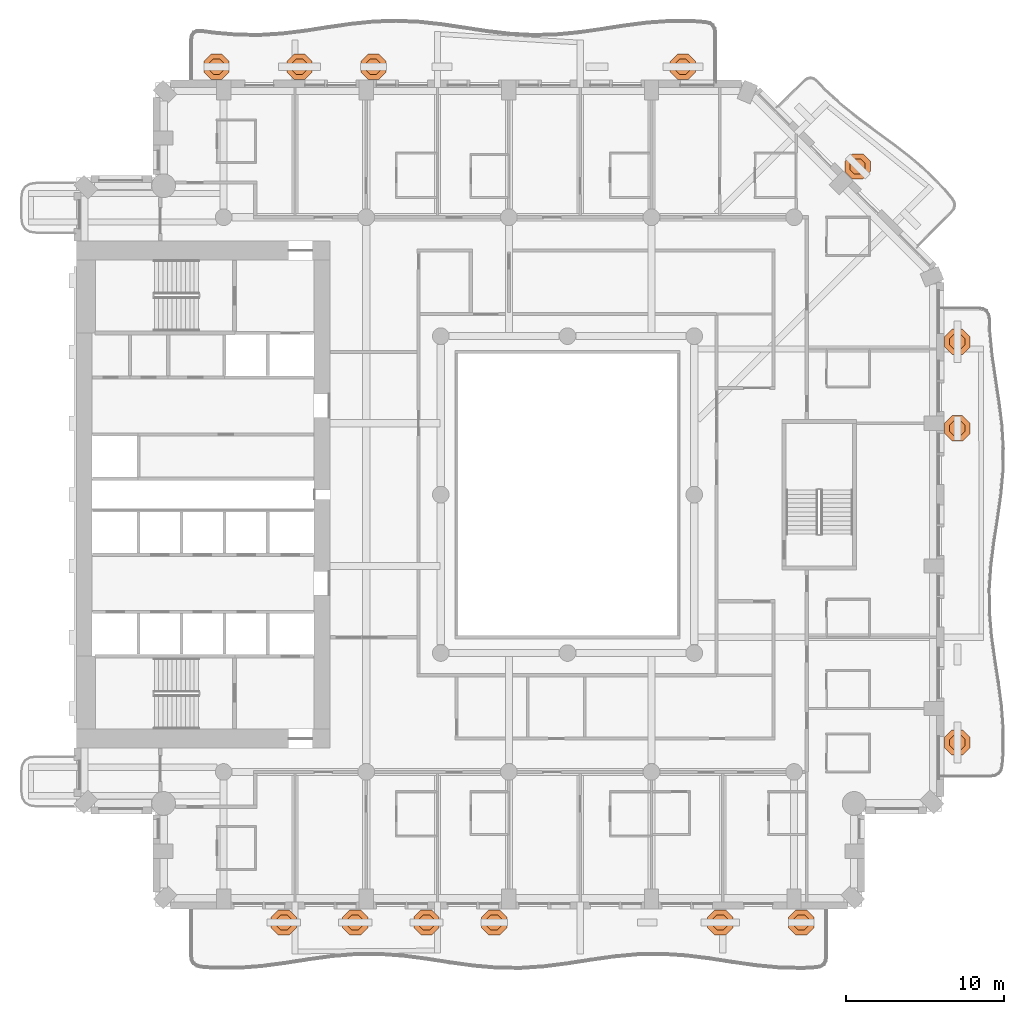
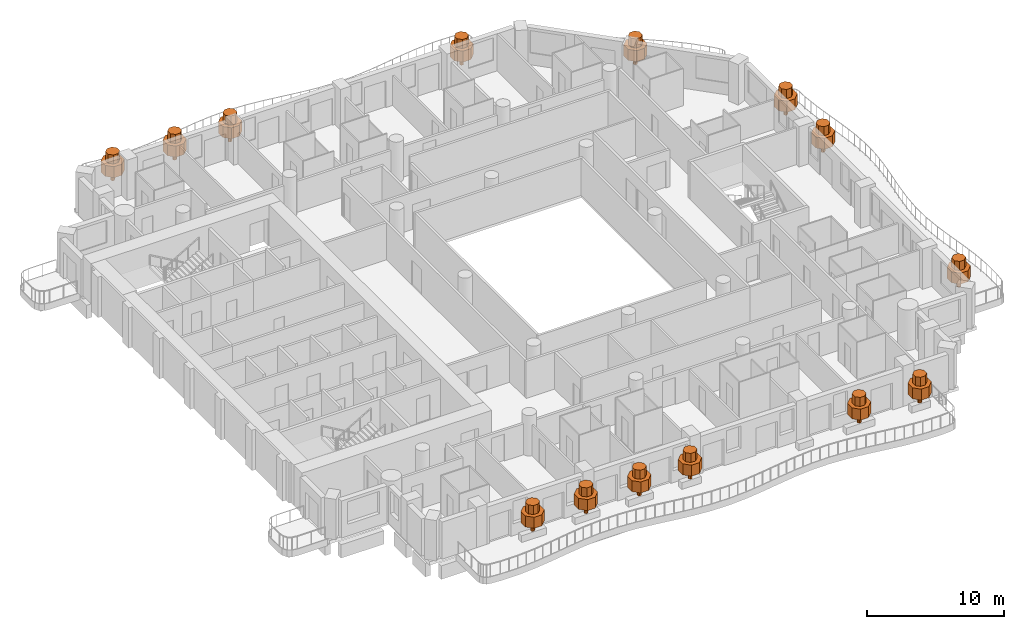
# One storey, part 20 of 20: 14 geographic elements.
"""IFC4 building model written with IfcOpenShell, lengths in metres."""

from ifc_helpers import new_model, si_unit, direction, frame, origin, place, context, subcontext, project, spatial, polyline, outline, extrude, material, type_object, element, save


model = new_model("IFC4")

# Units and contexts
model_context = context("Model", 3, precision=1e-05, world=origin(), true_north=direction((0.0, 1.0)))
body_context = subcontext(model_context, "Body", "Model", "MODEL_VIEW")
ifc_project = project(units=[si_unit("LENGTHUNIT", "METRE"), si_unit("AREAUNIT", "SQUARE_METRE"), si_unit("VOLUMEUNIT", "CUBIC_METRE"), si_unit("PLANEANGLEUNIT", "RADIAN"), si_unit("MASSUNIT", "GRAM", prefix="KILO")], contexts=[model_context])

# Site, building, storey
site_placement = place(None, origin())
site = spatial("IfcSite", under=ifc_project, at=site_placement, CompositionType="ELEMENT")
building_placement = place(site_placement, origin())
building = spatial("IfcBuilding", under=site, at=building_placement, Name="Cypress Arch Tower", CompositionType="ELEMENT")
storey_placement = place(building_placement, frame((0.0, 0.0, 116.699951171875)))
storey = spatial("IfcBuildingStorey", under=building, at=storey_placement, Name="L24", CompositionType="ELEMENT", Elevation=116.699951171875)

# Geographic elements
ifc_material = material(Name="Foliage and planting")
geographic_element_type = type_object("IfcGeographicElementType", Name="Balcony tree TR", PredefinedType="USERDEFINED", material=ifc_material)
for number, where, z_axis, x_axis, name in (
    (1, (-16.89990234375, -27.0, 0.60009765625), (0.0, 0.0, 1.0), (1.0, 0.0, 0.0), "Balcony tree L24-A03.1"),
    (2, (-12.39990234375, -27.0, 0.60009765625), (0.0, 0.0, 1.0), (1.0, 0.0, 0.0), "Balcony tree L24-A03.2"),
    (3, (-7.89990234375, -27.0, 0.60009765625), (0.0, 0.0, 1.0), (1.0, 0.0, 0.0), "Balcony tree L24-A03.3"),
    (4, (-3.625, -27.0, 0.60009765625), (0.0, 0.0, 1.0), (1.0, 0.0, 0.0), "Balcony tree L24-A03.4"),
    (5, (10.639892578125, -27.0, 0.60009765625), (0.0, 0.0, 1.0), (1.0, 0.0, 0.0), "Balcony tree L24-A03.6"),
    (6, (15.75, -27.0, 0.60009765625), (0.0, 0.0, 1.0), (1.0, 0.0, 0.0), "Balcony tree L24-A03.7"),
    (7, (25.60009765625, -15.642822265625, 0.60009765625), (0.0, 0.0, 1.0), (1.0, 0.0, 0.0), "Balcony tree L24-A06.1"),
    (8, (25.60009765625, 4.1826171875, 0.60009765625), (0.0, 0.0, 1.0), (1.0, 0.0, 0.0), "Balcony tree L24-A06.3"),
    (9, (25.60009765625, 9.642822265625, 0.60009765625), (0.0, 0.0, 1.0), (1.0, 0.0, 0.0), "Balcony tree L24-A06.4"),
    (10, (19.30712890625, 20.70703125, 0.60009765625), (0.0, 0.0, 1.0), (1.0, 0.0, 0.0), "Balcony tree L24-A07.2"),
    (11, (8.28125, 27.0, 0.60009765625), (0.0, 0.0, 1.0), (1.0, 0.0, 0.0), "Balcony tree L24-A08.1"),
    (12, (-11.24365234375, 27.0, 0.60009765625), (0.0, 0.0, 1.0), (1.0, 0.0, 0.0), "Balcony tree L24-A08.4"),
    (13, (-15.91259765625, 27.0, 0.60009765625), (0.0, 0.0, 1.0), (1.0, 0.0, 0.0), "Balcony tree L24-A08.5"),
    (14, (-21.14990234375, 27.0, 0.60009765625), (0.0, 0.0, 1.0), (1.0, 0.0, 0.0), "Balcony tree L24-A08.6"),
):
    element("IfcGeographicElement", number, at=place(storey_placement, frame(where, z_axis=z_axis, x_axis=x_axis)), inside=storey, type_object=geographic_element_type, Name=name, ObjectType="TREE", PredefinedType="USERDEFINED", context=body_context, shape_type="SweptSolid", body=[
        extrude(outline(polyline([(0.14990234375, 0.06201171875), (0.06201171875, 0.14990234375), (-0.06201171875, 0.14990234375), (-0.14990234375, 0.06201171875), (-0.14990234375, -0.06201171875), (-0.06201171875, -0.14990234375), (0.06201171875, -0.14990234375), (0.14990234375, -0.06201171875), (0.14990234375, 0.06201171875)])), origin(), (0.0, 0.0, 1.0), 0.864990234375),
        extrude(outline(polyline([(0.800048828125, 0.331298828125), (0.331298828125, 0.800048828125), (-0.331298828125, 0.800048828125), (-0.800048828125, 0.331298828125), (-0.800048828125, -0.331298828125), (-0.331298828125, -0.800048828125), (0.331298828125, -0.800048828125), (0.800048828125, -0.331298828125), (0.800048828125, 0.331298828125)])), frame((0.0, 0.0, 0.764892578125)), (0.0, 0.0, 1.0), 0.981689453125),
        extrude(outline(polyline([(0.47998046875, 0.19873046875), (0.19873046875, 0.47998046875), (-0.19873046875, 0.47998046875), (-0.47998046875, 0.19873046875), (-0.47998046875, -0.19873046875), (-0.19873046875, -0.47998046875), (0.19873046875, -0.47998046875), (0.47998046875, -0.19873046875), (0.47998046875, 0.19873046875)])), frame((0.0, 0.0, 1.746826171875)), (0.0, 0.0, 1.0), 0.80322265625),
    ])

save(model, "model.ifc")
